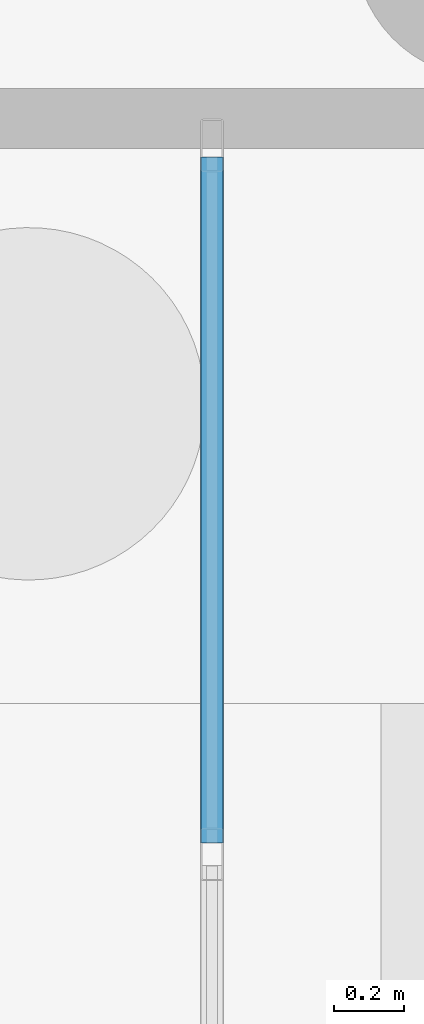
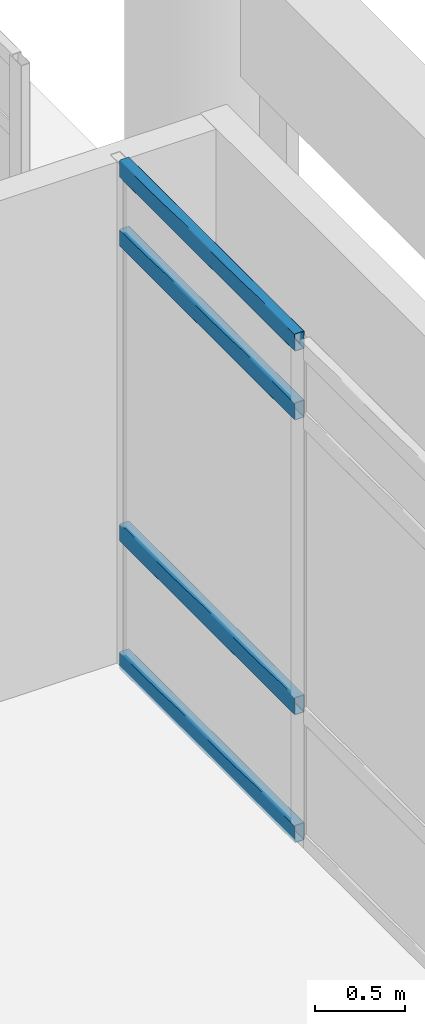
# One storey, part 130 of 196: 4 members, 1 element without a shape of its own.
"""IFC4 building model written with IfcOpenShell, lengths in metres."""

from ifc_helpers import new_model, si_unit, direction, frame, origin, origin_2d, place, context, subcontext, project, spatial, hollow_rectangle, extrude, material, layer, layer_set, material_profile, profile_set, type_object, element, aggregate, save


model = new_model("IFC4")

# Units and contexts
model_context = context("Model", 3, precision=1e-05, world=origin(), true_north=direction((0.0, 1.0)))
body_context = subcontext(model_context, "Body", "Model", "MODEL_VIEW")
ifc_project = project(units=[si_unit("LENGTHUNIT", "METRE"), si_unit("AREAUNIT", "SQUARE_METRE"), si_unit("VOLUMEUNIT", "CUBIC_METRE"), si_unit("PLANEANGLEUNIT", "RADIAN"), si_unit("MASSUNIT", "GRAM", prefix="KILO")], contexts=[model_context])

# Site, building, storey
site_placement = place(None, origin())
site = spatial("IfcSite", under=ifc_project, at=site_placement, CompositionType="ELEMENT")
building_placement = place(site_placement, origin())
building = spatial("IfcBuilding", under=site, at=building_placement, Name="Asteropetra Specialist Clinic", CompositionType="ELEMENT")
storey_placement = place(building_placement, origin())
storey = spatial("IfcBuildingStorey", under=building, at=storey_placement, Name="L00", CompositionType="ELEMENT", Elevation=0.0)

# Curtain wall, members
ifc_material_1 = material(Name="Aluminium and low-E glass", Category="aluminium")
ifc_layer = layer(ifc_material_1, 0.179931640625)
ifc_layer_set = layer_set([ifc_layer], Name="Aluminium and low-E glass")
curtain_wall_type = type_object("IfcCurtainWallType", Name="CW-SYS-10", PredefinedType="USERDEFINED", material=ifc_layer_set)
curtain_wall_placement = place(storey_placement, origin())
curtain_wall = element("IfcCurtainWall", 1, at=curtain_wall_placement, inside=storey, type_object=curtain_wall_type, Name="Curtain Wall CW-205", ObjectType="STICK GLAZED COLONNADE", PredefinedType="USERDEFINED")
ifc_material_2 = material(Name="Aluminium 6063-T6", Category="aluminium")
ifc_material_profile = material_profile(ifc_material_2, hollow_rectangle(XDim=0.06494140625, YDim=0.1201171875, WallThickness=0.00390625, InnerFilletRadius=0.00390625, OuterFilletRadius=0.008056640625, at=origin_2d()), Name="TRN 120x65x4.0")
ifc_profile_set = profile_set([ifc_material_profile], Name="Aluminium 6063-T6")
member_type = type_object("IfcMemberType", Name="CWT-120x65", PredefinedType="USERDEFINED", material=ifc_profile_set)
member_1_placement = place(storey_placement, frame((152.820068359375, 45.4541015625, 0.032470703125), z_axis=(0.0, 1.0, 0.0), x_axis=(-1.0, 0.0, 0.0)))
member_1 = element("IfcMember", 2, at=member_1_placement, type_object=member_type, Name="CW-205 transom 3.1", ObjectType="TRANSOM", PredefinedType="USERDEFINED", context=body_context, shape_type="SweptSolid", body=[
    extrude(hollow_rectangle(XDim=0.06494140625, YDim=0.1201171875, WallThickness=0.00390625, InnerFilletRadius=0.00390625, OuterFilletRadius=0.008056640625, at=origin_2d()), origin(), (0.0, 0.0, 1.0), 1.94580078125),
])
member_2_placement = place(storey_placement, frame((152.820068359375, 45.4541015625, 0.89990234375), z_axis=(0.0, 1.0, 0.0), x_axis=(-1.0, 0.0, 0.0)))
member_2 = element("IfcMember", 3, at=member_2_placement, type_object=member_type, Name="CW-205 transom 3.2", ObjectType="TRANSOM", PredefinedType="USERDEFINED", context=body_context, shape_type="SweptSolid", body=[
    extrude(hollow_rectangle(XDim=0.06494140625, YDim=0.1201171875, WallThickness=0.00390625, InnerFilletRadius=0.00390625, OuterFilletRadius=0.008056640625, at=origin_2d()), origin(), (0.0, 0.0, 1.0), 1.94580078125),
])
member_3_placement = place(storey_placement, frame((152.820068359375, 45.4541015625, 2.89990234375), z_axis=(0.0, 1.0, 0.0), x_axis=(-1.0, 0.0, 0.0)))
member_3 = element("IfcMember", 4, at=member_3_placement, type_object=member_type, Name="CW-205 transom 3.3", ObjectType="TRANSOM", PredefinedType="USERDEFINED", context=body_context, shape_type="SweptSolid", body=[
    extrude(hollow_rectangle(XDim=0.06494140625, YDim=0.1201171875, WallThickness=0.00390625, InnerFilletRadius=0.00390625, OuterFilletRadius=0.008056640625, at=origin_2d()), origin(), (0.0, 0.0, 1.0), 1.94580078125),
])
member_4_placement = place(storey_placement, frame((152.820068359375, 45.4541015625, 3.367431640625), z_axis=(0.0, 1.0, 0.0), x_axis=(-1.0, 0.0, 0.0)))
member_4 = element("IfcMember", 5, at=member_4_placement, type_object=member_type, Name="CW-205 transom 3.4", ObjectType="TRANSOM", PredefinedType="USERDEFINED", context=body_context, shape_type="SweptSolid", body=[
    extrude(hollow_rectangle(XDim=0.06494140625, YDim=0.1201171875, WallThickness=0.00390625, InnerFilletRadius=0.00390625, OuterFilletRadius=0.008056640625, at=origin_2d()), origin(), (0.0, 0.0, 1.0), 1.94580078125),
])
aggregate(curtain_wall, [member_1, member_2, member_3, member_4])

save(model, "model.ifc")
